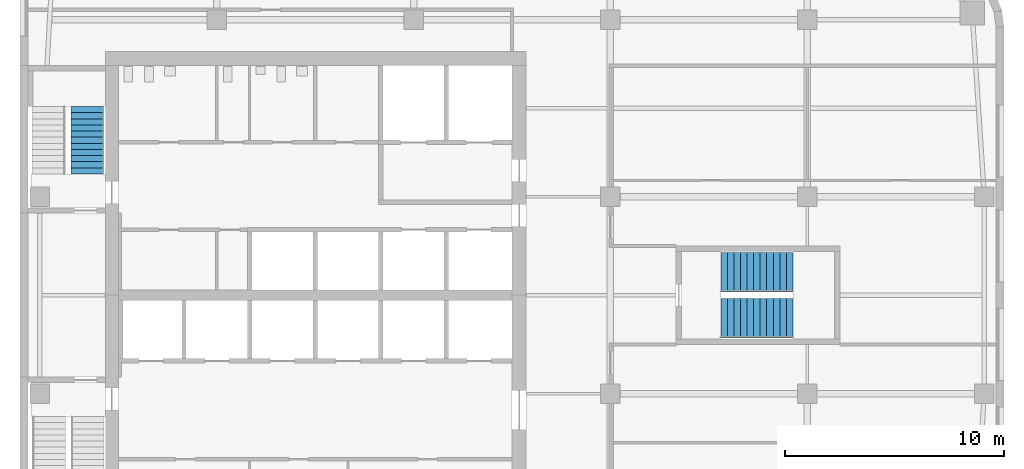
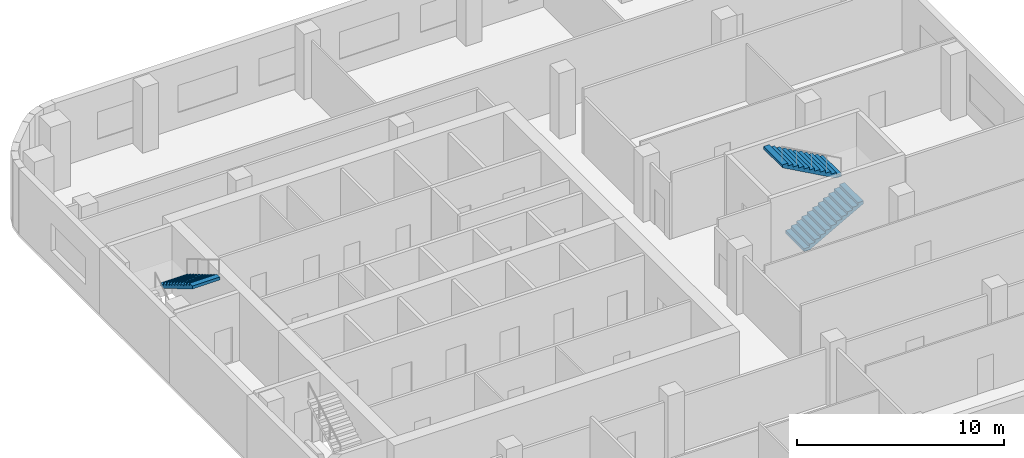
# One storey, part 6 of 8: 3 stair flights, 2 elements without a shape of their own.
"""IFC4 building model written with IfcOpenShell, lengths in metres."""

from ifc_helpers import new_model, si_unit, direction, frame, origin, place, context, subcontext, project, spatial, polyline, outline, extrude, material, type_object, element, aggregate, save


model = new_model("IFC4")

# Units and contexts
model_context = context("Model", 3, precision=1e-05, world=origin(), true_north=direction((0.0, 1.0)))
body_context = subcontext(model_context, "Body", "Model", "MODEL_VIEW")
ifc_project = project(units=[si_unit("LENGTHUNIT", "METRE"), si_unit("AREAUNIT", "SQUARE_METRE"), si_unit("VOLUMEUNIT", "CUBIC_METRE"), si_unit("PLANEANGLEUNIT", "RADIAN"), si_unit("MASSUNIT", "GRAM", prefix="KILO")], contexts=[model_context])

# Site, building, storey
site_placement = place(None, origin())
site = spatial("IfcSite", under=ifc_project, at=site_placement, CompositionType="ELEMENT")
building_placement = place(site_placement, origin())
building = spatial("IfcBuilding", under=site, at=building_placement, Name="Cinnabar Reach Civic Tower", CompositionType="ELEMENT")
storey_placement = place(building_placement, frame((0.0, 0.0, 181.0)))
storey = spatial("IfcBuildingStorey", under=building, at=storey_placement, Name="L43", CompositionType="ELEMENT", Elevation=181.0)

# Stair, stair flight
ifc_material = material(Name="Concrete C40/50", Category="concrete")
stair_type = type_object("IfcStairType", Name="T1 Exit stair, half-turn", PredefinedType="HALF_TURN_STAIR", material=ifc_material)
stair_1_placement = place(storey_placement, origin())
stair_1 = element("IfcStair", 1, at=stair_1_placement, inside=storey, type_object=stair_type, Name="Stair T1-S2", PredefinedType="HALF_TURN_STAIR")
stair_flight_type = type_object("IfcStairFlightType", Name="T1 Stair flight, concrete", PredefinedType="STRAIGHT", material=ifc_material)
stair_flight_1_placement = place(storey_placement, frame((3.0875, 40.13, 2.0), z_axis=(0.0, 0.0, 1.0), x_axis=(0.0, -1.0, 0.0)))
stair_flight_1 = element("IfcStairFlight", 2, at=stair_flight_1_placement, type_object=stair_flight_type, Name="T1-S2 flight 2", NumberOfRisers=12, NumberOfTreads=11, PredefinedType="STRAIGHT", RiserHeight=0.166666667, TreadLength=0.28, context=body_context, shape_type="SweptSolid", body=[
    extrude(outline(polyline([(0.0, 0.0), (0.0, 0.1667), (0.28, 0.1667), (0.28, 0.3333), (0.56, 0.3333), (0.56, 0.5), (0.84, 0.5), (0.84, 0.6667), (1.12, 0.6667), (1.12, 0.8333), (1.4, 0.8333), (1.4, 1.0), (1.68, 1.0), (1.68, 1.1667), (1.96, 1.1667), (1.96, 1.3333), (2.24, 1.3333), (2.24, 1.5), (2.52, 1.5), (2.52, 1.6667), (2.8, 1.6667), (2.8, 1.8333), (3.08, 1.8333), (3.08, 2.0), (3.08, 1.6588), (0.2933, 0.0), (0.0, 0.0)])), frame((0.0, 0.7625, 0.0), z_axis=(0.0, -1.0, 0.0), x_axis=(1.0, 0.0, 0.0)), (0.0, 0.0, 1.0), 1.525),
])
aggregate(stair_1, [stair_flight_1])

# Stair, stair flights
stair_2_placement = place(storey_placement, origin())
stair_2 = element("IfcStair", 3, at=stair_2_placement, inside=storey, type_object=stair_type, Name="Stair T1-S3", PredefinedType="HALF_TURN_STAIR")
stair_flight_2_placement = place(storey_placement, frame((32.05, 30.45, 0.0), z_axis=(0.0, 0.0, 1.0), x_axis=(1.0, 0.0, 0.0)))
stair_flight_2 = element("IfcStairFlight", 4, at=stair_flight_2_placement, type_object=stair_flight_type, Name="T1-S3 flight 1", NumberOfRisers=12, NumberOfTreads=11, PredefinedType="STRAIGHT", RiserHeight=0.166666667, TreadLength=0.3, context=body_context, shape_type="SweptSolid", body=[
    extrude(outline(polyline([(0.0, 0.0), (0.0, 0.1667), (0.3, 0.1667), (0.3, 0.3333), (0.6, 0.3333), (0.6, 0.5), (0.9, 0.5), (0.9, 0.6667), (1.2, 0.6667), (1.2, 0.8333), (1.5, 0.8333), (1.5, 1.0), (1.8, 1.0), (1.8, 1.1667), (2.1, 1.1667), (2.1, 1.3333), (2.4, 1.3333), (2.4, 1.5), (2.7, 1.5), (2.7, 1.6667), (3.0, 1.6667), (3.0, 1.8333), (3.3, 1.8333), (3.3, 2.0), (3.3, 1.6617), (0.3089, 0.0), (0.0, 0.0)])), frame((0.0, 0.9, 0.0), z_axis=(0.0, -1.0, 0.0), x_axis=(1.0, 0.0, 0.0)), (0.0, 0.0, 1.0), 1.8),
])
stair_flight_3_placement = place(storey_placement, frame((35.35, 32.55, 2.0), z_axis=(0.0, 0.0, 1.0), x_axis=(-1.0, 0.0, 0.0)))
stair_flight_3 = element("IfcStairFlight", 5, at=stair_flight_3_placement, type_object=stair_flight_type, Name="T1-S3 flight 2", NumberOfRisers=12, NumberOfTreads=11, PredefinedType="STRAIGHT", RiserHeight=0.166666667, TreadLength=0.3, context=body_context, shape_type="SweptSolid", body=[
    extrude(outline(polyline([(0.0, 0.0), (0.0, 0.1667), (0.3, 0.1667), (0.3, 0.3333), (0.6, 0.3333), (0.6, 0.5), (0.9, 0.5), (0.9, 0.6667), (1.2, 0.6667), (1.2, 0.8333), (1.5, 0.8333), (1.5, 1.0), (1.8, 1.0), (1.8, 1.1667), (2.1, 1.1667), (2.1, 1.3333), (2.4, 1.3333), (2.4, 1.5), (2.7, 1.5), (2.7, 1.6667), (3.0, 1.6667), (3.0, 1.8333), (3.3, 1.8333), (3.3, 2.0), (3.3, 1.6617), (0.3089, 0.0), (0.0, 0.0)])), frame((0.0, 0.9, 0.0), z_axis=(0.0, -1.0, 0.0), x_axis=(1.0, 0.0, 0.0)), (0.0, 0.0, 1.0), 1.8),
])
aggregate(stair_2, [stair_flight_2, stair_flight_3])

save(model, "model.ifc")
